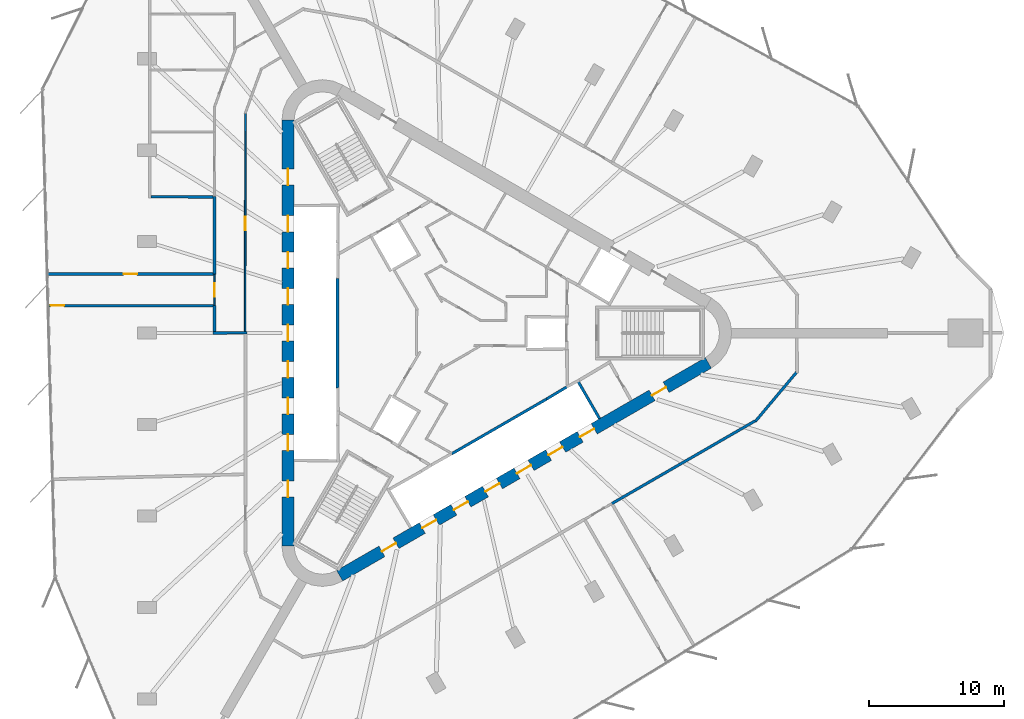
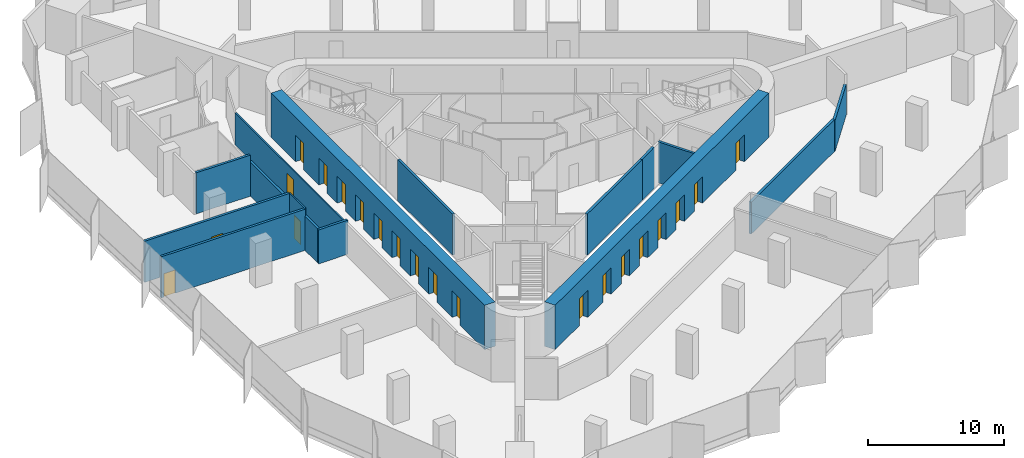
# One storey, part 9 of 14: 21 doors, 16 walls, 21 openings.
"""IFC4 building model written with IfcOpenShell, lengths in metres."""

import ifcopenshell
import ifcopenshell.guid

model = None  # the IFC model being written
_history = None  # IfcOwnerHistory: only IFC2X3 demands one
_inside = {}  # id of a spatial element -> (the spatial element, [elements in it])
_under = {}  # id of a project, library or spatial element -> (it, [spatial elements below it])
_declared = {}  # id of a project -> (the project, [libraries it declares])
_typed = {}  # id of a type object -> (the type object, [elements of that type])
_made_of = {}  # id of a material, layer set ... -> (it, [elements and type objects made of it])


def new_model(schema):
    """Start an empty IFC model of exactly this schema.

    Asked for "IFC4X3", IfcOpenShell would pick the latest addendum, in which some entities
    have other attributes; the version numbers below select the first issue.
    IFC2X3 requires an IfcOwnerHistory on every rooted entity: one is made here for all.
    """
    global model, _history
    if schema == "IFC4X3":
        model = ifcopenshell.file(schema_version=(4, 3, 0, 0))
    else:
        model = ifcopenshell.file(schema=schema)
    _inside.clear()
    _under.clear()
    _declared.clear()
    _typed.clear()
    _made_of.clear()
    _history = None
    if model.schema == "IFC2X3":
        org = make("IfcOrganization", Name="unknown")
        user = make(
            "IfcPersonAndOrganization",
            ThePerson=make("IfcPerson", FamilyName="unknown"),
            TheOrganization=org,
        )
        app = make(
            "IfcApplication",
            ApplicationDeveloper=org,
            Version="unknown",
            ApplicationFullName="unknown",
            ApplicationIdentifier="unknown",
        )
        _history = make(
            "IfcOwnerHistory",
            OwningUser=user,
            OwningApplication=app,
            ChangeAction="ADDED",
            CreationDate=0,
        )
    return model


def make(cls, **values):
    """One entity of the class cls with the attributes given. An attribute that is None is left unset."""
    return model.create_entity(
        cls, **{name: value for name, value in values.items() if value is not None}
    )


def rooted(cls, **values):
    """An entity with a GlobalId (a new one), such as an element, a storey or a relation."""
    return make(cls, GlobalId=ifcopenshell.guid.new(), OwnerHistory=_history, **values)


def si_unit(unit_type, name, prefix=None):
    """IfcSIUnit, for example si_unit("LENGTHUNIT", "METRE", prefix="MILLI")."""
    return make("IfcSIUnit", UnitType=unit_type, Prefix=prefix, Name=name)


def assignment(units):
    """IfcUnitAssignment: the units of a project."""
    return None if units is None else make("IfcUnitAssignment", Units=units)


def point(xyz):
    """IfcCartesianPoint."""
    return None if xyz is None else make("IfcCartesianPoint", Coordinates=xyz)


def direction(xyz):
    """IfcDirection."""
    return None if xyz is None else make("IfcDirection", DirectionRatios=xyz)


def frame(location, z_axis=None, x_axis=None):
    """IfcAxis2Placement3D, a coordinate frame: its origin and axes. An axis left out is left unset."""
    return make(
        "IfcAxis2Placement3D",
        Location=point(location),
        Axis=direction(z_axis),
        RefDirection=direction(x_axis),
    )


def frame_2d(location, x_axis=None):
    """IfcAxis2Placement2D, a coordinate frame in the plane: its origin and x axis."""
    return make(
        "IfcAxis2Placement2D", Location=point(location), RefDirection=direction(x_axis)
    )


def origin():
    """The frame at (0, 0, 0) with its axes left unset."""
    return frame((0.0, 0.0, 0.0))


def place(relative_to, where):
    """IfcLocalPlacement: puts the frame where relative to a parent placement (None: the world)."""
    return make(
        "IfcLocalPlacement", PlacementRelTo=relative_to, RelativePlacement=where
    )


def context(
    kind, dimensions, precision=None, world=None, true_north=None, identifier=None
):
    """IfcGeometricRepresentationContext, for example the 3D "Model" context."""
    return make(
        "IfcGeometricRepresentationContext",
        ContextIdentifier=identifier,
        ContextType=kind,
        CoordinateSpaceDimension=dimensions,
        Precision=precision,
        WorldCoordinateSystem=world,
        TrueNorth=true_north,
    )


def subcontext(parent, identifier, kind, view, scale=None):
    """IfcGeometricRepresentationSubContext, for example "Body" below "Model"."""
    return make(
        "IfcGeometricRepresentationSubContext",
        ContextIdentifier=identifier,
        ContextType=kind,
        ParentContext=parent,
        TargetScale=scale,
        TargetView=view,
    )


def project(units=None, contexts=None):
    """IfcProject with its units and contexts."""
    return rooted(
        "IfcProject",
        Name="project",
        RepresentationContexts=contexts,
        UnitsInContext=assignment(units),
    )


def spatial(cls, under=None, at=None, **own):
    """A site, building, storey or space (cls), placed at a placement, below another one or the project."""
    s = rooted(cls, ObjectPlacement=at, **own)
    if under is not None:
        _under.setdefault(under.id(), (under, []))[1].append(s)
    return s


def profile(cls, at=None, kind="AREA", **sizes):
    """A parametric profile (cls). Its sizes go by their IFC names, for example OverallWidth=200.0."""
    return make(cls, ProfileType=kind, Position=at, **sizes)


def rectangle(**sizes):
    """IfcRectangleProfileDef."""
    return profile("IfcRectangleProfileDef", **sizes)


def extrude(swept, where, along, depth):
    """IfcExtrudedAreaSolid: the profile swept, set in the frame where, extruded along a direction by depth."""
    return make(
        "IfcExtrudedAreaSolid",
        SweptArea=swept,
        Position=where,
        ExtrudedDirection=direction(along),
        Depth=depth,
    )


def shape(context_of_items, identifier, shape_type, items):
    """IfcShapeRepresentation: the items that make up one representation, for example the "Body"."""
    return make(
        "IfcShapeRepresentation",
        ContextOfItems=context_of_items,
        RepresentationIdentifier=identifier,
        RepresentationType=shape_type,
        Items=items,
    )


def material(Name=None, Category=None):
    """IfcMaterial."""
    return make("IfcMaterial", Name=Name, Category=Category)


def layer(
    of_material, thickness, ventilated=None, Name=None, Category=None, Priority=None
):
    """IfcMaterialLayer: one layer of a wall or slab, of a material (None: an air gap)."""
    return make(
        "IfcMaterialLayer",
        Material=of_material,
        LayerThickness=thickness,
        IsVentilated=ventilated,
        Name=Name,
        Category=Category,
        Priority=Priority,
    )


def layer_set(layers, Name=None):
    """IfcMaterialLayerSet."""
    return make("IfcMaterialLayerSet", MaterialLayers=layers, LayerSetName=Name)


def made_of(thing, what):
    """Note that an element or type object is made of a material, layer set ...; save() writes the relation."""
    if what is not None:
        _made_of.setdefault(what.id(), (what, []))[1].append(thing)
    return thing


def type_object(cls, material=None, **own):
    """A type object (cls), such as IfcWallType, which elements share."""
    return made_of(rooted(cls, **own), material)


def element(
    cls,
    number,
    at=None,
    inside=None,
    cuts=None,
    type_object=None,
    material=None,
    context=None,
    identifier="Body",
    shape_type=None,
    held_by="IfcProductDefinitionShape",
    body=None,
    shapes=None,
    **own,
):
    """One element of the class cls, such as IfcWall. Its Tag is "e" and its number.

    at: its placement. inside: the storey or other place that contains it. cuts: it is an
    opening in that element (IfcRelVoidsElement). A single representation is given by context,
    identifier, shape_type and body (its items); several are given by shapes. held_by: the class
    of the entity that holds the representations. save() writes the other relations.
    """
    e = rooted(cls, Tag="e%d" % number, ObjectPlacement=at, **own)
    if body is not None:
        shapes = [shape(context, identifier, shape_type, body)]
    if shapes is not None:
        e.Representation = make(held_by, Representations=shapes)
    if inside is not None:
        _inside.setdefault(inside.id(), (inside, []))[1].append(e)
    if cuts is not None:
        rooted(
            "IfcRelVoidsElement", RelatingBuildingElement=cuts, RelatedOpeningElement=e
        )
    if type_object is not None:
        _typed.setdefault(type_object.id(), (type_object, []))[1].append(e)
    return made_of(e, material)


def fill(opening, filler):
    """IfcRelFillsElement: the door or window that sits in an opening."""
    return rooted(
        "IfcRelFillsElement",
        RelatingOpeningElement=opening,
        RelatedBuildingElement=filler,
    )


def aggregate(whole, parts):
    """IfcRelAggregates: a whole, such as a stair, and the parts it consists of."""
    return rooted("IfcRelAggregates", RelatingObject=whole, RelatedObjects=parts)


def save(model, path):
    """Write the relations noted so far, then the file.

    IfcRelAggregates (storeys below a building ...), IfcRelContainedInSpatialStructure (elements
    in a storey), IfcRelDefinesByType, IfcRelAssociatesMaterial and IfcRelDeclares: one each for
    every whole, place, type object, material and project.
    """
    for whole, parts in _under.values():
        aggregate(whole, parts)
    for where, things in _inside.values():
        rooted(
            "IfcRelContainedInSpatialStructure",
            RelatedElements=things,
            RelatingStructure=where,
        )
    for kind, things in _typed.values():
        rooted("IfcRelDefinesByType", RelatedObjects=things, RelatingType=kind)
    for what, things in _made_of.values():
        rooted("IfcRelAssociatesMaterial", RelatedObjects=things, RelatingMaterial=what)
    for by, libraries in _declared.values():
        rooted("IfcRelDeclares", RelatingContext=by, RelatedDefinitions=libraries)
    model.write(path)


model = new_model("IFC4")

# Units and contexts
model_context = context("Model", 3, precision=1e-05, world=origin(), true_north=direction((0.0, 1.0)))
body_context = subcontext(model_context, "Body", "Model", "MODEL_VIEW")
ifc_project = project(units=[si_unit("LENGTHUNIT", "METRE"), si_unit("AREAUNIT", "SQUARE_METRE"), si_unit("VOLUMEUNIT", "CUBIC_METRE"), si_unit("PLANEANGLEUNIT", "RADIAN"), si_unit("MASSUNIT", "GRAM", prefix="KILO")], contexts=[model_context])

# Site, building, storey
site_placement = place(None, origin())
site = spatial("IfcSite", under=ifc_project, at=site_placement, CompositionType="ELEMENT")
building_placement = place(site_placement, origin())
building = spatial("IfcBuilding", under=site, at=building_placement, Name="Tanit Gate Tower", CompositionType="ELEMENT")
storey_placement = place(building_placement, frame((0.0, 0.0, 221.199951171875)))
storey = spatial("IfcBuildingStorey", under=building, at=storey_placement, Name="L49", CompositionType="ELEMENT", Elevation=221.199951171875)

# Wall, openings, doors
ifc_material_1 = material(Name="Concrete C50/60", Category="concrete")
ifc_layer_1 = layer(ifc_material_1, 0.89990234375)
ifc_layer_set_1 = layer_set([ifc_layer_1], Name="CORE WALL 900 C50/60")
wall_type_1 = type_object("IfcWallType", Name="CORE WALL 900 C50/60", PredefinedType="SHEAR", material=ifc_layer_set_1)
wall_1_placement = place(storey_placement, frame((-11.64990234375, 15.76171875, 0.0), z_axis=(0.0, 0.0, 1.0), x_axis=(0.0, -1.0, 0.0)))
wall_1 = element("IfcWall", 1, at=wall_1_placement, inside=storey, type_object=wall_type_1, Name="CORE WALL", PredefinedType="SHEAR", context=body_context, shape_type="SweptSolid", body=[
    extrude(rectangle(XDim=31.5234375, YDim=0.89990234375, at=frame_2d((15.76171875, 0.0))), origin(), (0.0, 0.0, 1.0), 4.0),
])
opening_1_placement = place(wall_1_placement, frame((7.061767578125, 0.0, 0.0)))
opening_1 = element("IfcOpeningElement", 2, at=opening_1_placement, cuts=wall_1, Name="Opening LDML1-S13", PredefinedType="OPENING", context=body_context, shape_type="SweptSolid", body=[
    extrude(rectangle(XDim=1.199951171875, YDim=2.39990234375, at=frame_2d((0.60009765625, 1.199951171875))), frame((0.0, 0.4599609375, 0.0), z_axis=(0.0, -1.0, 0.0), x_axis=(1.0, 0.0, 0.0)), (0.0, 0.0, 1.0), 0.919921875),
])
opening_2_placement = place(wall_1_placement, frame((9.76171875, 0.0, 0.0)))
opening_2 = element("IfcOpeningElement", 3, at=opening_2_placement, cuts=wall_1, Name="Opening LDML2-S13", PredefinedType="OPENING", context=body_context, shape_type="SweptSolid", body=[
    extrude(rectangle(XDim=1.199951171875, YDim=2.39990234375, at=frame_2d((0.60009765625, 1.199951171875))), frame((0.0, 0.4599609375, 0.0), z_axis=(0.0, -1.0, 0.0), x_axis=(1.0, 0.0, 0.0)), (0.0, 0.0, 1.0), 0.919921875),
])
opening_3_placement = place(wall_1_placement, frame((12.461669921875, 0.0, 0.0)))
opening_3 = element("IfcOpeningElement", 4, at=opening_3_placement, cuts=wall_1, Name="Opening LDML3-S13", PredefinedType="OPENING", context=body_context, shape_type="SweptSolid", body=[
    extrude(rectangle(XDim=1.199951171875, YDim=2.39990234375, at=frame_2d((0.60009765625, 1.199951171875))), frame((0.0, 0.4599609375, 0.0), z_axis=(0.0, -1.0, 0.0), x_axis=(1.0, 0.0, 0.0)), (0.0, 0.0, 1.0), 0.919921875),
])
opening_4_placement = place(wall_1_placement, frame((15.16162109375, 0.0, 0.0)))
opening_4 = element("IfcOpeningElement", 5, at=opening_4_placement, cuts=wall_1, Name="Opening LDML4-S13", PredefinedType="OPENING", context=body_context, shape_type="SweptSolid", body=[
    extrude(rectangle(XDim=1.199951171875, YDim=2.39990234375, at=frame_2d((0.60009765625, 1.199951171875))), frame((0.0, 0.4599609375, 0.0), z_axis=(0.0, -1.0, 0.0), x_axis=(1.0, 0.0, 0.0)), (0.0, 0.0, 1.0), 0.919921875),
])
opening_5_placement = place(wall_1_placement, frame((17.86181640625, 0.0, 0.0)))
opening_5 = element("IfcOpeningElement", 6, at=opening_5_placement, cuts=wall_1, Name="Opening LDML5-S13", PredefinedType="OPENING", context=body_context, shape_type="SweptSolid", body=[
    extrude(rectangle(XDim=1.199951171875, YDim=2.39990234375, at=frame_2d((0.60009765625, 1.199951171875))), frame((0.0, 0.4599609375, 0.0), z_axis=(0.0, -1.0, 0.0), x_axis=(1.0, 0.0, 0.0)), (0.0, 0.0, 1.0), 0.919921875),
])
opening_6_placement = place(wall_1_placement, frame((20.561767578125, 0.0, 0.0)))
opening_6 = element("IfcOpeningElement", 7, at=opening_6_placement, cuts=wall_1, Name="Opening LDML6-S13", PredefinedType="OPENING", context=body_context, shape_type="SweptSolid", body=[
    extrude(rectangle(XDim=1.199951171875, YDim=2.39990234375, at=frame_2d((0.60009765625, 1.199951171875))), frame((0.0, 0.4599609375, 0.0), z_axis=(0.0, -1.0, 0.0), x_axis=(1.0, 0.0, 0.0)), (0.0, 0.0, 1.0), 0.919921875),
])
opening_7_placement = place(wall_1_placement, frame((23.26171875, 0.0, 0.0)))
opening_7 = element("IfcOpeningElement", 8, at=opening_7_placement, cuts=wall_1, Name="Opening LDML7-S13", PredefinedType="OPENING", context=body_context, shape_type="SweptSolid", body=[
    extrude(rectangle(XDim=1.199951171875, YDim=2.39990234375, at=frame_2d((0.60009765625, 1.199951171875))), frame((0.0, 0.4599609375, 0.0), z_axis=(0.0, -1.0, 0.0), x_axis=(1.0, 0.0, 0.0)), (0.0, 0.0, 1.0), 0.919921875),
])
opening_8_placement = place(wall_1_placement, frame((3.61181640625, 0.0, 0.0)))
opening_8 = element("IfcOpeningElement", 9, at=opening_8_placement, cuts=wall_1, Name="Opening F12-S13-FL2", PredefinedType="OPENING", context=body_context, shape_type="SweptSolid", body=[
    extrude(rectangle(XDim=1.199951171875, YDim=2.39990234375, at=frame_2d((0.60009765625, 1.199951171875))), frame((0.0, 0.4599609375, 0.0), z_axis=(0.0, -1.0, 0.0), x_axis=(1.0, 0.0, 0.0)), (0.0, 0.0, 1.0), 0.919921875),
])
opening_9_placement = place(wall_1_placement, frame((26.711669921875, 0.0, 0.0)))
opening_9 = element("IfcOpeningElement", 10, at=opening_9_placement, cuts=wall_1, Name="Opening F12-S13-S3", PredefinedType="OPENING", context=body_context, shape_type="SweptSolid", body=[
    extrude(rectangle(XDim=1.199951171875, YDim=2.39990234375, at=frame_2d((0.60009765625, 1.199951171875))), frame((0.0, 0.4599609375, 0.0), z_axis=(0.0, -1.0, 0.0), x_axis=(1.0, 0.0, 0.0)), (0.0, 0.0, 1.0), 0.919921875),
])
ifc_material_2 = material(Name="Fire-rated steel door leaf", Category="steel")
door_type_1 = type_object("IfcDoorType", Name="INT-DOOR-FIRE-LOBBY-1200", OperationType="NOTDEFINED", PredefinedType="USERDEFINED", material=ifc_material_2)
door_1_placement = place(opening_8_placement, origin())
door_1 = element("IfcDoor", 11, at=door_1_placement, inside=storey, type_object=door_type_1, Name="Door F12-S13-FL2", ObjectType="FIRE DOOR", OperationType="SINGLE_SWING_LEFT", OverallHeight=2.39990234375, OverallWidth=1.199951171875, PredefinedType="USERDEFINED", context=body_context, shape_type="SweptSolid", body=[
    extrude(rectangle(XDim=1.199951171875, YDim=2.39990234375, at=frame_2d((0.60009765625, 1.199951171875))), frame((0.0, 0.02490234375, 0.0), z_axis=(0.0, -1.0, 0.0), x_axis=(1.0, 0.0, 0.0)), (0.0, 0.0, 1.0), 0.050048828125),
])
fill(opening_8, door_1)
door_2_placement = place(opening_9_placement, origin())
door_2 = element("IfcDoor", 12, at=door_2_placement, inside=storey, type_object=door_type_1, Name="Door F12-S13-S3", ObjectType="FIRE DOOR", OperationType="SINGLE_SWING_RIGHT", OverallHeight=2.39990234375, OverallWidth=1.199951171875, PredefinedType="USERDEFINED", context=body_context, shape_type="SweptSolid", body=[
    extrude(rectangle(XDim=1.199951171875, YDim=2.39990234375, at=frame_2d((0.60009765625, 1.199951171875))), frame((0.0, 0.02490234375, 0.0), z_axis=(0.0, -1.0, 0.0), x_axis=(1.0, 0.0, 0.0)), (0.0, 0.0, 1.0), 0.050048828125),
])
fill(opening_9, door_2)
ifc_material_3 = material(Name="Stainless steel sliding door leaf", Category="steel")
door_type_2 = type_object("IfcDoorType", Name="INT-DOOR-LANDING-1200", OperationType="NOTDEFINED", PredefinedType="USERDEFINED", material=ifc_material_3)
door_3_placement = place(opening_1_placement, origin())
door_3 = element("IfcDoor", 13, at=door_3_placement, inside=storey, type_object=door_type_2, Name="Door LDML1-S13", ObjectType="LANDING DOOR", OperationType="SLIDING_TO_LEFT", OverallHeight=2.39990234375, OverallWidth=1.199951171875, PredefinedType="USERDEFINED", context=body_context, shape_type="SweptSolid", body=[
    extrude(rectangle(XDim=1.199951171875, YDim=2.39990234375, at=frame_2d((0.60009765625, 1.199951171875))), frame((0.0, 0.02490234375, 0.0), z_axis=(0.0, -1.0, 0.0), x_axis=(1.0, 0.0, 0.0)), (0.0, 0.0, 1.0), 0.050048828125),
])
fill(opening_1, door_3)
door_4_placement = place(opening_2_placement, origin())
door_4 = element("IfcDoor", 14, at=door_4_placement, inside=storey, type_object=door_type_2, Name="Door LDML2-S13", ObjectType="LANDING DOOR", OperationType="SLIDING_TO_LEFT", OverallHeight=2.39990234375, OverallWidth=1.199951171875, PredefinedType="USERDEFINED", context=body_context, shape_type="SweptSolid", body=[
    extrude(rectangle(XDim=1.199951171875, YDim=2.39990234375, at=frame_2d((0.60009765625, 1.199951171875))), frame((0.0, 0.02490234375, 0.0), z_axis=(0.0, -1.0, 0.0), x_axis=(1.0, 0.0, 0.0)), (0.0, 0.0, 1.0), 0.050048828125),
])
fill(opening_2, door_4)
door_5_placement = place(opening_3_placement, origin())
door_5 = element("IfcDoor", 15, at=door_5_placement, inside=storey, type_object=door_type_2, Name="Door LDML3-S13", ObjectType="LANDING DOOR", OperationType="SLIDING_TO_LEFT", OverallHeight=2.39990234375, OverallWidth=1.199951171875, PredefinedType="USERDEFINED", context=body_context, shape_type="SweptSolid", body=[
    extrude(rectangle(XDim=1.199951171875, YDim=2.39990234375, at=frame_2d((0.60009765625, 1.199951171875))), frame((0.0, 0.02490234375, 0.0), z_axis=(0.0, -1.0, 0.0), x_axis=(1.0, 0.0, 0.0)), (0.0, 0.0, 1.0), 0.050048828125),
])
fill(opening_3, door_5)
door_6_placement = place(opening_4_placement, origin())
door_6 = element("IfcDoor", 16, at=door_6_placement, inside=storey, type_object=door_type_2, Name="Door LDML4-S13", ObjectType="LANDING DOOR", OperationType="SLIDING_TO_LEFT", OverallHeight=2.39990234375, OverallWidth=1.199951171875, PredefinedType="USERDEFINED", context=body_context, shape_type="SweptSolid", body=[
    extrude(rectangle(XDim=1.199951171875, YDim=2.39990234375, at=frame_2d((0.60009765625, 1.199951171875))), frame((0.0, 0.02490234375, 0.0), z_axis=(0.0, -1.0, 0.0), x_axis=(1.0, 0.0, 0.0)), (0.0, 0.0, 1.0), 0.050048828125),
])
fill(opening_4, door_6)
door_7_placement = place(opening_5_placement, origin())
door_7 = element("IfcDoor", 17, at=door_7_placement, inside=storey, type_object=door_type_2, Name="Door LDML5-S13", ObjectType="LANDING DOOR", OperationType="SLIDING_TO_LEFT", OverallHeight=2.39990234375, OverallWidth=1.199951171875, PredefinedType="USERDEFINED", context=body_context, shape_type="SweptSolid", body=[
    extrude(rectangle(XDim=1.199951171875, YDim=2.39990234375, at=frame_2d((0.60009765625, 1.199951171875))), frame((0.0, 0.02490234375, 0.0), z_axis=(0.0, -1.0, 0.0), x_axis=(1.0, 0.0, 0.0)), (0.0, 0.0, 1.0), 0.050048828125),
])
fill(opening_5, door_7)
door_8_placement = place(opening_6_placement, origin())
door_8 = element("IfcDoor", 18, at=door_8_placement, inside=storey, type_object=door_type_2, Name="Door LDML6-S13", ObjectType="LANDING DOOR", OperationType="SLIDING_TO_LEFT", OverallHeight=2.39990234375, OverallWidth=1.199951171875, PredefinedType="USERDEFINED", context=body_context, shape_type="SweptSolid", body=[
    extrude(rectangle(XDim=1.199951171875, YDim=2.39990234375, at=frame_2d((0.60009765625, 1.199951171875))), frame((0.0, 0.02490234375, 0.0), z_axis=(0.0, -1.0, 0.0), x_axis=(1.0, 0.0, 0.0)), (0.0, 0.0, 1.0), 0.050048828125),
])
fill(opening_6, door_8)
door_9_placement = place(opening_7_placement, origin())
door_9 = element("IfcDoor", 19, at=door_9_placement, inside=storey, type_object=door_type_2, Name="Door LDML7-S13", ObjectType="LANDING DOOR", OperationType="SLIDING_TO_LEFT", OverallHeight=2.39990234375, OverallWidth=1.199951171875, PredefinedType="USERDEFINED", context=body_context, shape_type="SweptSolid", body=[
    extrude(rectangle(XDim=1.199951171875, YDim=2.39990234375, at=frame_2d((0.60009765625, 1.199951171875))), frame((0.0, 0.02490234375, 0.0), z_axis=(0.0, -1.0, 0.0), x_axis=(1.0, 0.0, 0.0)), (0.0, 0.0, 1.0), 0.050048828125),
])
fill(opening_7, door_9)

wall_2_placement = place(storey_placement, frame((-7.824951171875, -17.969970703125, 0.0), z_axis=(0.0, 0.0, 1.0), x_axis=(0.866028369851, 0.499994862586, 0.0)))
wall_2 = element("IfcWall", 20, at=wall_2_placement, inside=storey, type_object=wall_type_1, Name="CORE WALL", PredefinedType="SHEAR", context=body_context, shape_type="SweptSolid", body=[
    extrude(rectangle(XDim=31.523193359375, YDim=0.89990234375, at=frame_2d((15.76171875, 0.0))), origin(), (0.0, 0.0, 1.0), 4.0),
])
opening_10_placement = place(wall_2_placement, frame((7.061767578125, 0.0, 0.0)))
opening_10 = element("IfcOpeningElement", 21, at=opening_10_placement, cuts=wall_2, Name="Opening LDSX1-S13", PredefinedType="OPENING", context=body_context, shape_type="SweptSolid", body=[
    extrude(rectangle(XDim=1.199951171875, YDim=2.39990234375, at=frame_2d((0.60009765625, 1.199951171875))), frame((0.0, 0.4599609375, 0.0), z_axis=(0.0, -1.0, 0.0), x_axis=(1.0, 0.0, 0.0)), (0.0, 0.0, 1.0), 0.919921875),
])
opening_11_placement = place(wall_2_placement, frame((9.76171875, 0.0, 0.0)))
opening_11 = element("IfcOpeningElement", 22, at=opening_11_placement, cuts=wall_2, Name="Opening LDSX2-S13", PredefinedType="OPENING", context=body_context, shape_type="SweptSolid", body=[
    extrude(rectangle(XDim=1.199951171875, YDim=2.39990234375, at=frame_2d((0.60009765625, 1.199951171875))), frame((0.0, 0.4599609375, 0.0), z_axis=(0.0, -1.0, 0.0), x_axis=(1.0, 0.0, 0.0)), (0.0, 0.0, 1.0), 0.919921875),
])
opening_12_placement = place(wall_2_placement, frame((12.461669921875, 0.0, 0.0)))
opening_12 = element("IfcOpeningElement", 23, at=opening_12_placement, cuts=wall_2, Name="Opening LDSX3-S13", PredefinedType="OPENING", context=body_context, shape_type="SweptSolid", body=[
    extrude(rectangle(XDim=1.199951171875, YDim=2.39990234375, at=frame_2d((0.60009765625, 1.199951171875))), frame((0.0, 0.4599609375, 0.0), z_axis=(0.0, -1.0, 0.0), x_axis=(1.0, 0.0, 0.0)), (0.0, 0.0, 1.0), 0.919921875),
])
opening_13_placement = place(wall_2_placement, frame((15.16162109375, 0.0, 0.0)))
opening_13 = element("IfcOpeningElement", 24, at=opening_13_placement, cuts=wall_2, Name="Opening LDSX4-S13", PredefinedType="OPENING", context=body_context, shape_type="SweptSolid", body=[
    extrude(rectangle(XDim=1.199951171875, YDim=2.39990234375, at=frame_2d((0.60009765625, 1.199951171875))), frame((0.0, 0.4599609375, 0.0), z_axis=(0.0, -1.0, 0.0), x_axis=(1.0, 0.0, 0.0)), (0.0, 0.0, 1.0), 0.919921875),
])
opening_14_placement = place(wall_2_placement, frame((17.861572265625, 0.0, 0.0)))
opening_14 = element("IfcOpeningElement", 25, at=opening_14_placement, cuts=wall_2, Name="Opening LDSV1-S13", PredefinedType="OPENING", context=body_context, shape_type="SweptSolid", body=[
    extrude(rectangle(XDim=1.199951171875, YDim=2.39990234375, at=frame_2d((0.60009765625, 1.199951171875))), frame((0.0, 0.4599609375, 0.0), z_axis=(0.0, -1.0, 0.0), x_axis=(1.0, 0.0, 0.0)), (0.0, 0.0, 1.0), 0.919921875),
])
opening_15_placement = place(wall_2_placement, frame((20.561767578125, 0.0, 0.0)))
opening_15 = element("IfcOpeningElement", 26, at=opening_15_placement, cuts=wall_2, Name="Opening LDSV2-S13", PredefinedType="OPENING", context=body_context, shape_type="SweptSolid", body=[
    extrude(rectangle(XDim=1.199951171875, YDim=2.39990234375, at=frame_2d((0.60009765625, 1.199951171875))), frame((0.0, 0.4599609375, 0.0), z_axis=(0.0, -1.0, 0.0), x_axis=(1.0, 0.0, 0.0)), (0.0, 0.0, 1.0), 0.919921875),
])
opening_16_placement = place(wall_2_placement, frame((26.711669921875, 0.0, 0.0)))
opening_16 = element("IfcOpeningElement", 27, at=opening_16_placement, cuts=wall_2, Name="Opening F12-S13-S1", PredefinedType="OPENING", context=body_context, shape_type="SweptSolid", body=[
    extrude(rectangle(XDim=1.199951171875, YDim=2.39990234375, at=frame_2d((0.60009765625, 1.199951171875))), frame((0.0, 0.4599609375, 0.0), z_axis=(0.0, -1.0, 0.0), x_axis=(1.0, 0.0, 0.0)), (0.0, 0.0, 1.0), 0.919921875),
])
opening_17_placement = place(wall_2_placement, frame((3.611572265625, 0.0, 0.0)))
opening_17 = element("IfcOpeningElement", 28, at=opening_17_placement, cuts=wall_2, Name="Opening F12-S13-FL3", PredefinedType="OPENING", context=body_context, shape_type="SweptSolid", body=[
    extrude(rectangle(XDim=1.199951171875, YDim=2.39990234375, at=frame_2d((0.60009765625, 1.199951171875))), frame((0.0, 0.4599609375, 0.0), z_axis=(0.0, -1.0, 0.0), x_axis=(1.0, 0.0, 0.0)), (0.0, 0.0, 1.0), 0.919921875),
])
door_10_placement = place(opening_16_placement, origin())
door_10 = element("IfcDoor", 29, at=door_10_placement, inside=storey, type_object=door_type_1, Name="Door F12-S13-S1", ObjectType="FIRE DOOR", OperationType="SINGLE_SWING_RIGHT", OverallHeight=2.39990234375, OverallWidth=1.199951171875, PredefinedType="USERDEFINED", context=body_context, shape_type="SweptSolid", body=[
    extrude(rectangle(XDim=1.199951171875, YDim=2.39990234375, at=frame_2d((0.60009765625, 1.199951171875))), frame((0.0, 0.02490234375, 0.0), z_axis=(0.0, -1.0, 0.0), x_axis=(1.0, 0.0, 0.0)), (0.0, 0.0, 1.0), 0.050048828125),
])
fill(opening_16, door_10)
door_11_placement = place(opening_17_placement, origin())
door_11 = element("IfcDoor", 30, at=door_11_placement, inside=storey, type_object=door_type_1, Name="Door F12-S13-FL3", ObjectType="FIRE DOOR", OperationType="SINGLE_SWING_RIGHT", OverallHeight=2.39990234375, OverallWidth=1.199951171875, PredefinedType="USERDEFINED", context=body_context, shape_type="SweptSolid", body=[
    extrude(rectangle(XDim=1.199951171875, YDim=2.39990234375, at=frame_2d((0.60009765625, 1.199951171875))), frame((0.0, 0.02490234375, 0.0), z_axis=(0.0, -1.0, 0.0), x_axis=(1.0, 0.0, 0.0)), (0.0, 0.0, 1.0), 0.050048828125),
])
fill(opening_17, door_11)
door_12_placement = place(opening_10_placement, origin())
door_12 = element("IfcDoor", 31, at=door_12_placement, inside=storey, type_object=door_type_2, Name="Door LDSX1-S13", ObjectType="LANDING DOOR", OperationType="SLIDING_TO_LEFT", OverallHeight=2.39990234375, OverallWidth=1.199951171875, PredefinedType="USERDEFINED", context=body_context, shape_type="SweptSolid", body=[
    extrude(rectangle(XDim=1.199951171875, YDim=2.39990234375, at=frame_2d((0.60009765625, 1.199951171875))), frame((0.0, 0.02490234375, 0.0), z_axis=(0.0, -1.0, 0.0), x_axis=(1.0, 0.0, 0.0)), (0.0, 0.0, 1.0), 0.050048828125),
])
fill(opening_10, door_12)
door_13_placement = place(opening_11_placement, origin())
door_13 = element("IfcDoor", 32, at=door_13_placement, inside=storey, type_object=door_type_2, Name="Door LDSX2-S13", ObjectType="LANDING DOOR", OperationType="SLIDING_TO_LEFT", OverallHeight=2.39990234375, OverallWidth=1.199951171875, PredefinedType="USERDEFINED", context=body_context, shape_type="SweptSolid", body=[
    extrude(rectangle(XDim=1.199951171875, YDim=2.39990234375, at=frame_2d((0.60009765625, 1.199951171875))), frame((0.0, 0.02490234375, 0.0), z_axis=(0.0, -1.0, 0.0), x_axis=(1.0, 0.0, 0.0)), (0.0, 0.0, 1.0), 0.050048828125),
])
fill(opening_11, door_13)
door_14_placement = place(opening_12_placement, origin())
door_14 = element("IfcDoor", 33, at=door_14_placement, inside=storey, type_object=door_type_2, Name="Door LDSX3-S13", ObjectType="LANDING DOOR", OperationType="SLIDING_TO_LEFT", OverallHeight=2.39990234375, OverallWidth=1.199951171875, PredefinedType="USERDEFINED", context=body_context, shape_type="SweptSolid", body=[
    extrude(rectangle(XDim=1.199951171875, YDim=2.39990234375, at=frame_2d((0.60009765625, 1.199951171875))), frame((0.0, 0.02490234375, 0.0), z_axis=(0.0, -1.0, 0.0), x_axis=(1.0, 0.0, 0.0)), (0.0, 0.0, 1.0), 0.050048828125),
])
fill(opening_12, door_14)
door_15_placement = place(opening_13_placement, origin())
door_15 = element("IfcDoor", 34, at=door_15_placement, inside=storey, type_object=door_type_2, Name="Door LDSX4-S13", ObjectType="LANDING DOOR", OperationType="SLIDING_TO_LEFT", OverallHeight=2.39990234375, OverallWidth=1.199951171875, PredefinedType="USERDEFINED", context=body_context, shape_type="SweptSolid", body=[
    extrude(rectangle(XDim=1.199951171875, YDim=2.39990234375, at=frame_2d((0.60009765625, 1.199951171875))), frame((0.0, 0.02490234375, 0.0), z_axis=(0.0, -1.0, 0.0), x_axis=(1.0, 0.0, 0.0)), (0.0, 0.0, 1.0), 0.050048828125),
])
fill(opening_13, door_15)
door_16_placement = place(opening_14_placement, origin())
door_16 = element("IfcDoor", 35, at=door_16_placement, inside=storey, type_object=door_type_2, Name="Door LDSV1-S13", ObjectType="LANDING DOOR", OperationType="SLIDING_TO_LEFT", OverallHeight=2.39990234375, OverallWidth=1.199951171875, PredefinedType="USERDEFINED", context=body_context, shape_type="SweptSolid", body=[
    extrude(rectangle(XDim=1.199951171875, YDim=2.39990234375, at=frame_2d((0.60009765625, 1.199951171875))), frame((0.0, 0.02490234375, 0.0), z_axis=(0.0, -1.0, 0.0), x_axis=(1.0, 0.0, 0.0)), (0.0, 0.0, 1.0), 0.050048828125),
])
fill(opening_14, door_16)
door_17_placement = place(opening_15_placement, origin())
door_17 = element("IfcDoor", 36, at=door_17_placement, inside=storey, type_object=door_type_2, Name="Door LDSV2-S13", ObjectType="LANDING DOOR", OperationType="SLIDING_TO_LEFT", OverallHeight=2.39990234375, OverallWidth=1.199951171875, PredefinedType="USERDEFINED", context=body_context, shape_type="SweptSolid", body=[
    extrude(rectangle(XDim=1.199951171875, YDim=2.39990234375, at=frame_2d((0.60009765625, 1.199951171875))), frame((0.0, 0.02490234375, 0.0), z_axis=(0.0, -1.0, 0.0), x_axis=(1.0, 0.0, 0.0)), (0.0, 0.0, 1.0), 0.050048828125),
])
fill(opening_15, door_17)

# Walls
ifc_material_4 = material(Name="Fire-rated gypsum board partition")
ifc_layer_2 = layer(ifc_material_4, 0.199951171875)
ifc_layer_set_2 = layer_set([ifc_layer_2], Name="INT-WALL-COMPARTMENT")
wall_type_2 = type_object("IfcWallType", Name="INT-WALL-COMPARTMENT", PredefinedType="PARTITIONING", material=ifc_layer_set_2)
wall_3_placement = place(storey_placement, frame((-17.199951171875, -0.001220703125, 0.0), z_axis=(0.0, 0.0, 1.0), x_axis=(0.999915662945, 0.012987185857, 0.0)))
element("IfcWall", 37, at=wall_3_placement, inside=storey, type_object=wall_type_2, Name="Wall Compartment W089", PredefinedType="PARTITIONING", context=body_context, shape_type="SweptSolid", body=[
    extrude(rectangle(XDim=2.500244140625, YDim=0.199951171875, at=frame_2d((1.25, 0.0))), origin(), (0.0, 0.0, 1.0), 3.070068359375),
])
wall_4_placement = place(storey_placement, frame((-17.10009765625, 10.1298828125, 0.0), z_axis=(0.0, 0.0, 1.0), x_axis=(0.0, -1.0, 0.0)))
element("IfcWall", 38, at=wall_4_placement, inside=storey, type_object=wall_type_2, Name="Wall Compartment W091", PredefinedType="PARTITIONING", context=body_context, shape_type="SweptSolid", body=[
    extrude(rectangle(XDim=5.77978515625, YDim=0.199951171875, at=frame_2d((2.889892578125, 0.0))), origin(), (0.0, 0.0, 1.0), 3.070068359375),
])
wall_5_placement = place(storey_placement, frame((-17.10009765625, 2.050048828125, 0.0), z_axis=(0.0, 0.0, 1.0), x_axis=(0.0, -1.0, 0.0)))
element("IfcWall", 39, at=wall_5_placement, inside=storey, type_object=wall_type_2, Name="Wall Compartment W090", PredefinedType="PARTITIONING", context=body_context, shape_type="SweptSolid", body=[
    extrude(rectangle(XDim=1.949951171875, YDim=0.199951171875, at=frame_2d((0.97509765625, 0.0))), origin(), (0.0, 0.0, 1.0), 3.070068359375),
])
wall_6_placement = place(storey_placement, frame((22.968017578125, -6.5244140625, 0.0), z_axis=(0.0, 0.0, 1.0), x_axis=(0.642764400317, 0.766063917493, 0.0)))
element("IfcWall", 40, at=wall_6_placement, inside=storey, type_object=wall_type_2, Name="Wall Compartment W111", PredefinedType="PARTITIONING", context=body_context, shape_type="SweptSolid", body=[
    extrude(rectangle(XDim=4.740234375, YDim=0.199951171875, at=frame_2d((2.3701171875, 0.0))), origin(), (0.0, 0.0, 1.0), 2.780029296875),
])
wall_7_placement = place(storey_placement, frame((12.317138671875, -12.634033203125, 0.0), z_axis=(0.0, 0.0, 1.0), x_axis=(0.866028561818, 0.499994530085, 0.0)))
element("IfcWall", 41, at=wall_7_placement, inside=storey, type_object=wall_type_2, Name="Wall Compartment W112", PredefinedType="PARTITIONING", context=body_context, shape_type="SweptSolid", body=[
    extrude(rectangle(XDim=12.272705078125, YDim=0.199951171875, at=frame_2d((6.13623046875, 0.0))), origin(), (0.0, 0.0, 1.0), 2.880126953125),
])

# Wall, opening, door
wall_8_placement = place(storey_placement, frame((-29.4208984375, 2.030029296875, 0.0), z_axis=(0.0, 0.0, 1.0), x_axis=(1.0, 0.0, 0.0)))
wall_8 = element("IfcWall", 42, at=wall_8_placement, inside=storey, type_object=wall_type_2, Name="Wall Compartment W116", PredefinedType="PARTITIONING", context=body_context, shape_type="SweptSolid", body=[
    extrude(rectangle(XDim=12.260986328125, YDim=0.199951171875, at=frame_2d((6.13037109375, 0.0))), origin(), (0.0, 0.0, 1.0), 3.699951171875),
])
opening_18_placement = place(wall_8_placement, frame((0.199951171875, 0.0, 0.0)))
opening_18 = element("IfcOpeningElement", 43, at=opening_18_placement, cuts=wall_8, Name="Opening F10-S13-27", PredefinedType="OPENING", context=body_context, shape_type="SweptSolid", body=[
    extrude(rectangle(XDim=1.0, YDim=2.10009765625, at=frame_2d((0.5, 1.050048828125))), frame((0.0, 0.10986328125, 0.0), z_axis=(0.0, -1.0, 0.0), x_axis=(1.0, 0.0, 0.0)), (0.0, 0.0, 1.0), 0.219970703125),
])
ifc_material_5 = material(Name="Fire-rated steel door leaf", Category="steel")
door_type_3 = type_object("IfcDoorType", Name="INT-DOOR-FIRE-1000", OperationType="NOTDEFINED", PredefinedType="USERDEFINED", material=ifc_material_5)
door_18_placement = place(opening_18_placement, origin())
door_18 = element("IfcDoor", 44, at=door_18_placement, inside=storey, type_object=door_type_3, Name="Door F10-S13-27", ObjectType="FIRE DOOR", OperationType="SINGLE_SWING_RIGHT", OverallHeight=2.10009765625, OverallWidth=1.0, PredefinedType="USERDEFINED", context=body_context, shape_type="SweptSolid", body=[
    extrude(rectangle(XDim=1.0, YDim=2.10009765625, at=frame_2d((0.5, 1.050048828125))), frame((0.0, 0.02490234375, 0.0), z_axis=(0.0, -1.0, 0.0), x_axis=(1.0, 0.0, 0.0)), (0.0, 0.0, 1.0), 0.050048828125),
])
fill(opening_18, door_18)

wall_9_placement = place(storey_placement, frame((-17.159912109375, 4.3701171875, 0.0), z_axis=(0.0, 0.0, 1.0), x_axis=(-1.0, 0.0, 0.0)))
wall_9 = element("IfcWall", 45, at=wall_9_placement, inside=storey, type_object=wall_type_2, Name="Wall Compartment W117", PredefinedType="PARTITIONING", context=body_context, shape_type="SweptSolid", body=[
    extrude(rectangle(XDim=12.322021484375, YDim=0.199951171875, at=frame_2d((6.1611328125, 0.0))), origin(), (0.0, 0.0, 1.0), 3.699951171875),
])
opening_19_placement = place(wall_9_placement, frame((5.660888671875, 0.0, 0.0)))
opening_19 = element("IfcOpeningElement", 46, at=opening_19_placement, cuts=wall_9, Name="Opening F10-S13-28", PredefinedType="OPENING", context=body_context, shape_type="SweptSolid", body=[
    extrude(rectangle(XDim=1.0, YDim=2.10009765625, at=frame_2d((0.5, 1.050048828125))), frame((0.0, 0.10986328125, 0.0), z_axis=(0.0, -1.0, 0.0), x_axis=(1.0, 0.0, 0.0)), (0.0, 0.0, 1.0), 0.219970703125),
])
door_19_placement = place(opening_19_placement, origin())
door_19 = element("IfcDoor", 47, at=door_19_placement, inside=storey, type_object=door_type_3, Name="Door F10-S13-28", ObjectType="FIRE DOOR", OperationType="SINGLE_SWING_LEFT", OverallHeight=2.10009765625, OverallWidth=1.0, PredefinedType="USERDEFINED", context=body_context, shape_type="SweptSolid", body=[
    extrude(rectangle(XDim=1.0, YDim=2.10009765625, at=frame_2d((0.5, 1.050048828125))), frame((0.0, 0.02490234375, 0.0), z_axis=(0.0, -1.0, 0.0), x_axis=(1.0, 0.0, 0.0)), (0.0, 0.0, 1.0), 0.050048828125),
])
fill(opening_19, door_19)

# Wall
wall_10_placement = place(storey_placement, frame((-21.7900390625, 10.099365234375, 0.0), z_axis=(0.0, 0.0, 1.0), x_axis=(0.99998030485, -0.006276138289, 0.0)))
element("IfcWall", 48, at=wall_10_placement, inside=storey, type_object=wall_type_2, Name="Wall Compartment W124", PredefinedType="PARTITIONING", context=body_context, shape_type="SweptSolid", body=[
    extrude(rectangle(XDim=4.590087890625, YDim=0.199951171875, at=frame_2d((2.294921875, 0.0))), origin(), (0.0, 0.0, 1.0), 3.699951171875),
])

# Wall, opening, door
ifc_material_6 = material(Name="Gypsum board partition")
ifc_layer_3 = layer(ifc_material_6, 0.1201171875)
ifc_layer_set_3 = layer_set([ifc_layer_3], Name="INT-WALL-PARTITION")
wall_type_3 = type_object("IfcWallType", Name="INT-WALL-PARTITION", PredefinedType="PARTITIONING", material=ifc_layer_set_3)
wall_11_placement = place(storey_placement, frame((-14.800048828125, 16.257080078125, 0.0), z_axis=(0.0, 0.0, 1.0), x_axis=(-0.001847148781, -0.999998294019, 0.0)))
wall_11 = element("IfcWall", 49, at=wall_11_placement, inside=storey, type_object=wall_type_3, Name="Wall Partition W087", PredefinedType="PARTITIONING", context=body_context, shape_type="SweptSolid", body=[
    extrude(rectangle(XDim=16.257080078125, YDim=0.1201171875, at=frame_2d((8.12841796875, 0.0))), origin(), (0.0, 0.0, 1.0), 2.880126953125),
])
opening_20_placement = place(wall_11_placement, frame((7.628662109375, 0.0, 0.0)))
opening_20 = element("IfcOpeningElement", 50, at=opening_20_placement, cuts=wall_11, Name="Opening D10-S13-18", PredefinedType="OPENING", context=body_context, shape_type="SweptSolid", body=[
    extrude(rectangle(XDim=1.0, YDim=2.10009765625, at=frame_2d((0.5, 1.050048828125))), frame((0.0, 0.070068359375, 0.0), z_axis=(0.0, -1.0, 0.0), x_axis=(1.0, 0.0, 0.0)), (0.0, 0.0, 1.0), 0.14013671875),
])
ifc_material_7 = material(Name="Timber door leaf", Category="wood")
door_type_4 = type_object("IfcDoorType", Name="INT-DOOR-SINGLE-1000", OperationType="NOTDEFINED", PredefinedType="NOTDEFINED", material=ifc_material_7)
door_20_placement = place(opening_20_placement, origin())
door_20 = element("IfcDoor", 51, at=door_20_placement, inside=storey, type_object=door_type_4, Name="Door D10-S13-18", OperationType="SINGLE_SWING_RIGHT", OverallHeight=2.10009765625, OverallWidth=1.0, PredefinedType="NOTDEFINED", context=body_context, shape_type="SweptSolid", body=[
    extrude(rectangle(XDim=1.0, YDim=2.10009765625, at=frame_2d((0.5, 1.050048828125))), frame((0.0, 0.02490234375, 0.0), z_axis=(0.0, -1.0, 0.0), x_axis=(1.0, 0.0, 0.0)), (0.0, 0.0, 1.0), 0.050048828125),
])
fill(opening_20, door_20)

wall_12_placement = place(storey_placement, frame((-17.10009765625, 4.35009765625, 0.0), z_axis=(0.0, 0.0, 1.0), x_axis=(0.0, -1.0, 0.0)))
wall_12 = element("IfcWall", 52, at=wall_12_placement, inside=storey, type_object=wall_type_3, Name="Wall Partition W088", PredefinedType="PARTITIONING", context=body_context, shape_type="SweptSolid", body=[
    extrude(rectangle(XDim=2.300048828125, YDim=0.1201171875, at=frame_2d((1.14990234375, 0.0))), origin(), (0.0, 0.0, 1.0), 3.699951171875),
])
opening_21_placement = place(wall_12_placement, frame((0.64990234375, 0.0, 0.0)))
opening_21 = element("IfcOpeningElement", 53, at=opening_21_placement, cuts=wall_12, Name="Opening D10-S13-19", PredefinedType="OPENING", context=body_context, shape_type="SweptSolid", body=[
    extrude(rectangle(XDim=1.0, YDim=2.10009765625, at=frame_2d((0.5, 1.050048828125))), frame((0.0, 0.070068359375, 0.0), z_axis=(0.0, -1.0, 0.0), x_axis=(1.0, 0.0, 0.0)), (0.0, 0.0, 1.0), 0.14013671875),
])
door_21_placement = place(opening_21_placement, origin())
door_21 = element("IfcDoor", 54, at=door_21_placement, inside=storey, type_object=door_type_4, Name="Door D10-S13-19", OperationType="SINGLE_SWING_RIGHT", OverallHeight=2.10009765625, OverallWidth=1.0, PredefinedType="NOTDEFINED", context=body_context, shape_type="SweptSolid", body=[
    extrude(rectangle(XDim=1.0, YDim=2.10009765625, at=frame_2d((0.5, 1.050048828125))), frame((0.0, 0.02490234375, 0.0), z_axis=(0.0, -1.0, 0.0), x_axis=(1.0, 0.0, 0.0)), (0.0, 0.0, 1.0), 0.050048828125),
])
fill(opening_21, door_21)

# Walls
ifc_material_8 = material(Name="Gypsum shaft wall system")
ifc_layer_4 = layer(ifc_material_8, 0.199951171875)
ifc_layer_set_4 = layer_set([ifc_layer_4], Name="INT-WALL-SHAFT")
wall_type_4 = type_object("IfcWallType", Name="INT-WALL-SHAFT", PredefinedType="PLUMBINGWALL", material=ifc_layer_set_4)
wall_13_placement = place(storey_placement, frame((-7.97998046875, 4.050048828125, 0.0), z_axis=(0.0, 0.0, 1.0), x_axis=(0.0, -1.0, 0.0)))
element("IfcWall", 55, at=wall_13_placement, inside=storey, type_object=wall_type_4, Name="Wall Shaft W005", PredefinedType="PLUMBINGWALL", context=body_context, shape_type="SweptSolid", body=[
    extrude(rectangle(XDim=8.10009765625, YDim=0.199951171875, at=frame_2d((4.050048828125, 0.0))), origin(), (0.0, 0.0, 1.0), 3.699951171875),
])
wall_14_placement = place(storey_placement, frame((0.482666015625, -8.935791015625, 0.0), z_axis=(0.0, 0.0, 1.0), x_axis=(0.866030989016, 0.499990325971, 0.0)))
element("IfcWall", 56, at=wall_14_placement, inside=storey, type_object=wall_type_4, Name="Wall Shaft W023", PredefinedType="PLUMBINGWALL", context=body_context, shape_type="SweptSolid", body=[
    extrude(rectangle(XDim=8.099853515625, YDim=0.199951171875, at=frame_2d((4.0498046875, 0.0))), origin(), (0.0, 0.0, 1.0), 3.699951171875),
])
wall_15_placement = place(storey_placement, frame((9.794677734375, -3.52490234375, 0.0), z_axis=(0.0, 0.0, 1.0), x_axis=(0.499984717929, -0.866034226713, 0.0)))
element("IfcWall", 57, at=wall_15_placement, inside=storey, type_object=wall_type_4, Name="Wall Shaft W016", PredefinedType="PLUMBINGWALL", context=body_context, shape_type="SweptSolid", body=[
    extrude(rectangle(XDim=3.25, YDim=0.199951171875, at=frame_2d((1.625, 0.0))), origin(), (0.0, 0.0, 1.0), 3.699951171875),
])
wall_16_placement = place(storey_placement, frame((7.497314453125, -4.885986328125, 0.0), z_axis=(0.0, 0.0, 1.0), x_axis=(0.857516281273, 0.51445682749, 0.0)))
element("IfcWall", 58, at=wall_16_placement, inside=storey, type_object=wall_type_4, Name="Wall Shaft W018", PredefinedType="PLUMBINGWALL", context=body_context, shape_type="SweptSolid", body=[
    extrude(rectangle(XDim=1.8447265625, YDim=0.199951171875, at=frame_2d((0.92236328125, 0.0))), origin(), (0.0, 0.0, 1.0), 3.699951171875),
])

save(model, "model.ifc")
